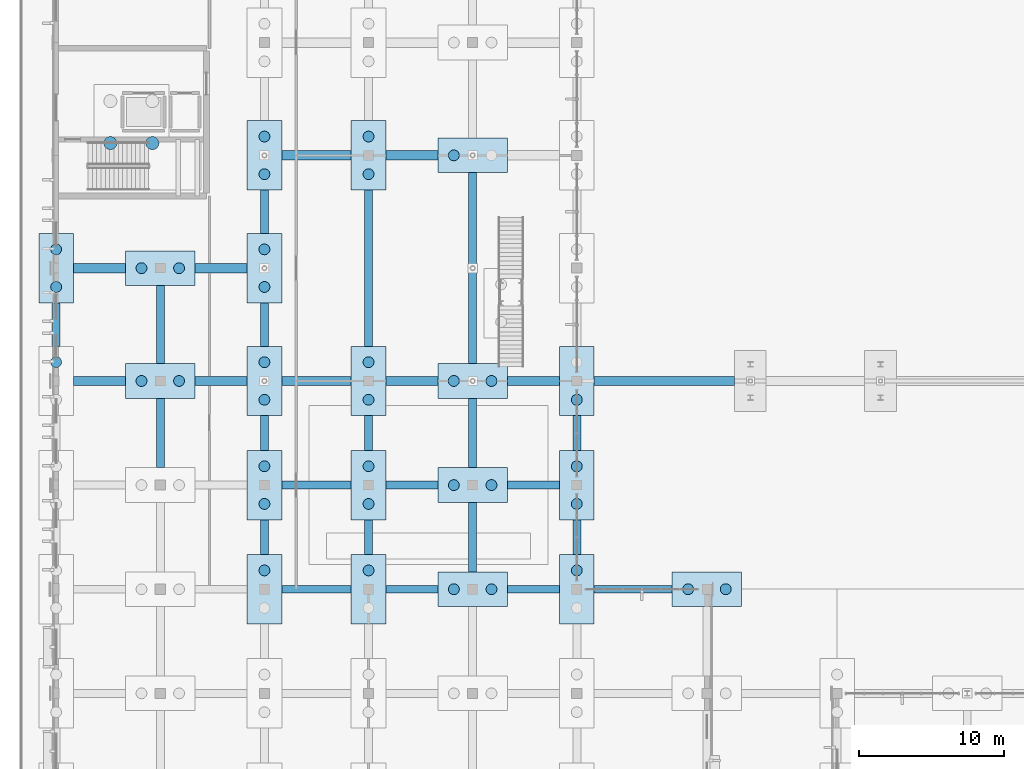
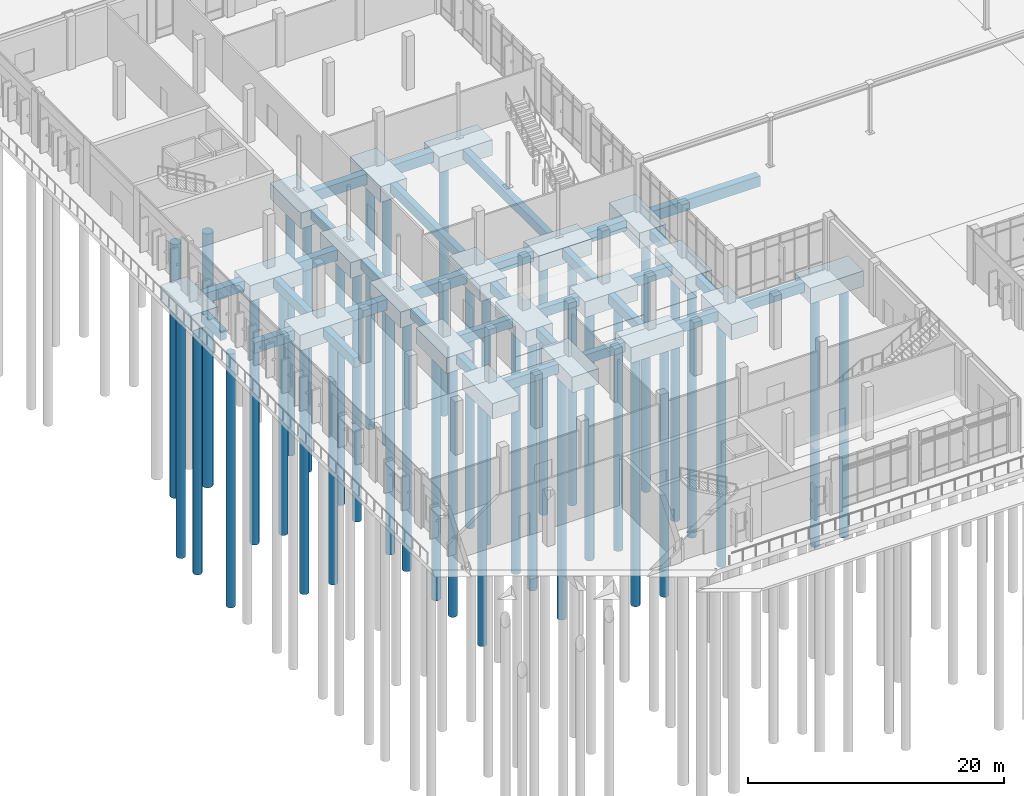
# One storey, part 2 of 94: 52 footings, 38 piles.
"""IFC4 building model written with IfcOpenShell, lengths in metres."""

import ifcopenshell
import ifcopenshell.guid

model = None  # the IFC model being written
_history = None  # IfcOwnerHistory: only IFC2X3 demands one
_inside = {}  # id of a spatial element -> (the spatial element, [elements in it])
_under = {}  # id of a project, library or spatial element -> (it, [spatial elements below it])
_declared = {}  # id of a project -> (the project, [libraries it declares])
_typed = {}  # id of a type object -> (the type object, [elements of that type])
_made_of = {}  # id of a material, layer set ... -> (it, [elements and type objects made of it])


def new_model(schema):
    """Start an empty IFC model of exactly this schema.

    Asked for "IFC4X3", IfcOpenShell would pick the latest addendum, in which some entities
    have other attributes; the version numbers below select the first issue.
    IFC2X3 requires an IfcOwnerHistory on every rooted entity: one is made here for all.
    """
    global model, _history
    if schema == "IFC4X3":
        model = ifcopenshell.file(schema_version=(4, 3, 0, 0))
    else:
        model = ifcopenshell.file(schema=schema)
    _inside.clear()
    _under.clear()
    _declared.clear()
    _typed.clear()
    _made_of.clear()
    _history = None
    if model.schema == "IFC2X3":
        org = make("IfcOrganization", Name="unknown")
        user = make(
            "IfcPersonAndOrganization",
            ThePerson=make("IfcPerson", FamilyName="unknown"),
            TheOrganization=org,
        )
        app = make(
            "IfcApplication",
            ApplicationDeveloper=org,
            Version="unknown",
            ApplicationFullName="unknown",
            ApplicationIdentifier="unknown",
        )
        _history = make(
            "IfcOwnerHistory",
            OwningUser=user,
            OwningApplication=app,
            ChangeAction="ADDED",
            CreationDate=0,
        )
    return model


def make(cls, **values):
    """One entity of the class cls with the attributes given. An attribute that is None is left unset."""
    return model.create_entity(
        cls, **{name: value for name, value in values.items() if value is not None}
    )


def rooted(cls, **values):
    """An entity with a GlobalId (a new one), such as an element, a storey or a relation."""
    return make(cls, GlobalId=ifcopenshell.guid.new(), OwnerHistory=_history, **values)


def si_unit(unit_type, name, prefix=None):
    """IfcSIUnit, for example si_unit("LENGTHUNIT", "METRE", prefix="MILLI")."""
    return make("IfcSIUnit", UnitType=unit_type, Prefix=prefix, Name=name)


def assignment(units):
    """IfcUnitAssignment: the units of a project."""
    return None if units is None else make("IfcUnitAssignment", Units=units)


def point(xyz):
    """IfcCartesianPoint."""
    return None if xyz is None else make("IfcCartesianPoint", Coordinates=xyz)


def direction(xyz):
    """IfcDirection."""
    return None if xyz is None else make("IfcDirection", DirectionRatios=xyz)


def frame(location, z_axis=None, x_axis=None):
    """IfcAxis2Placement3D, a coordinate frame: its origin and axes. An axis left out is left unset."""
    return make(
        "IfcAxis2Placement3D",
        Location=point(location),
        Axis=direction(z_axis),
        RefDirection=direction(x_axis),
    )


def frame_2d(location, x_axis=None):
    """IfcAxis2Placement2D, a coordinate frame in the plane: its origin and x axis."""
    return make(
        "IfcAxis2Placement2D", Location=point(location), RefDirection=direction(x_axis)
    )


def origin():
    """The frame at (0, 0, 0) with its axes left unset."""
    return frame((0.0, 0.0, 0.0))


def origin_2d():
    """The frame at (0, 0) in the plane with its x axis left unset."""
    return frame_2d((0.0, 0.0))


def place(relative_to, where):
    """IfcLocalPlacement: puts the frame where relative to a parent placement (None: the world)."""
    return make(
        "IfcLocalPlacement", PlacementRelTo=relative_to, RelativePlacement=where
    )


def context(
    kind, dimensions, precision=None, world=None, true_north=None, identifier=None
):
    """IfcGeometricRepresentationContext, for example the 3D "Model" context."""
    return make(
        "IfcGeometricRepresentationContext",
        ContextIdentifier=identifier,
        ContextType=kind,
        CoordinateSpaceDimension=dimensions,
        Precision=precision,
        WorldCoordinateSystem=world,
        TrueNorth=true_north,
    )


def subcontext(parent, identifier, kind, view, scale=None):
    """IfcGeometricRepresentationSubContext, for example "Body" below "Model"."""
    return make(
        "IfcGeometricRepresentationSubContext",
        ContextIdentifier=identifier,
        ContextType=kind,
        ParentContext=parent,
        TargetScale=scale,
        TargetView=view,
    )


def project(units=None, contexts=None):
    """IfcProject with its units and contexts."""
    return rooted(
        "IfcProject",
        Name="project",
        RepresentationContexts=contexts,
        UnitsInContext=assignment(units),
    )


def spatial(cls, under=None, at=None, **own):
    """A site, building, storey or space (cls), placed at a placement, below another one or the project."""
    s = rooted(cls, ObjectPlacement=at, **own)
    if under is not None:
        _under.setdefault(under.id(), (under, []))[1].append(s)
    return s


def profile(cls, at=None, kind="AREA", **sizes):
    """A parametric profile (cls). Its sizes go by their IFC names, for example OverallWidth=200.0."""
    return make(cls, ProfileType=kind, Position=at, **sizes)


def rectangle(**sizes):
    """IfcRectangleProfileDef."""
    return profile("IfcRectangleProfileDef", **sizes)


def circle(**sizes):
    """IfcCircleProfileDef."""
    return profile("IfcCircleProfileDef", **sizes)


def extrude(swept, where, along, depth):
    """IfcExtrudedAreaSolid: the profile swept, set in the frame where, extruded along a direction by depth."""
    return make(
        "IfcExtrudedAreaSolid",
        SweptArea=swept,
        Position=where,
        ExtrudedDirection=direction(along),
        Depth=depth,
    )


def shape(context_of_items, identifier, shape_type, items):
    """IfcShapeRepresentation: the items that make up one representation, for example the "Body"."""
    return make(
        "IfcShapeRepresentation",
        ContextOfItems=context_of_items,
        RepresentationIdentifier=identifier,
        RepresentationType=shape_type,
        Items=items,
    )


def material(Name=None, Category=None):
    """IfcMaterial."""
    return make("IfcMaterial", Name=Name, Category=Category)


def material_profile(
    of_material, cross_section, Name=None, Category=None, Priority=None
):
    """IfcMaterialProfile: a cross section and its material."""
    return make(
        "IfcMaterialProfile",
        Name=Name,
        Material=of_material,
        Profile=cross_section,
        Priority=Priority,
        Category=Category,
    )


def profile_set(profiles, Name=None, composite=None):
    """IfcMaterialProfileSet."""
    return make(
        "IfcMaterialProfileSet",
        Name=Name,
        MaterialProfiles=profiles,
        CompositeProfile=composite,
    )


def made_of(thing, what):
    """Note that an element or type object is made of a material, layer set ...; save() writes the relation."""
    if what is not None:
        _made_of.setdefault(what.id(), (what, []))[1].append(thing)
    return thing


def type_object(cls, material=None, **own):
    """A type object (cls), such as IfcWallType, which elements share."""
    return made_of(rooted(cls, **own), material)


def element(
    cls,
    number,
    at=None,
    inside=None,
    cuts=None,
    type_object=None,
    material=None,
    context=None,
    identifier="Body",
    shape_type=None,
    held_by="IfcProductDefinitionShape",
    body=None,
    shapes=None,
    **own,
):
    """One element of the class cls, such as IfcWall. Its Tag is "e" and its number.

    at: its placement. inside: the storey or other place that contains it. cuts: it is an
    opening in that element (IfcRelVoidsElement). A single representation is given by context,
    identifier, shape_type and body (its items); several are given by shapes. held_by: the class
    of the entity that holds the representations. save() writes the other relations.
    """
    e = rooted(cls, Tag="e%d" % number, ObjectPlacement=at, **own)
    if body is not None:
        shapes = [shape(context, identifier, shape_type, body)]
    if shapes is not None:
        e.Representation = make(held_by, Representations=shapes)
    if inside is not None:
        _inside.setdefault(inside.id(), (inside, []))[1].append(e)
    if cuts is not None:
        rooted(
            "IfcRelVoidsElement", RelatingBuildingElement=cuts, RelatedOpeningElement=e
        )
    if type_object is not None:
        _typed.setdefault(type_object.id(), (type_object, []))[1].append(e)
    return made_of(e, material)


def aggregate(whole, parts):
    """IfcRelAggregates: a whole, such as a stair, and the parts it consists of."""
    return rooted("IfcRelAggregates", RelatingObject=whole, RelatedObjects=parts)


def save(model, path):
    """Write the relations noted so far, then the file.

    IfcRelAggregates (storeys below a building ...), IfcRelContainedInSpatialStructure (elements
    in a storey), IfcRelDefinesByType, IfcRelAssociatesMaterial and IfcRelDeclares: one each for
    every whole, place, type object, material and project.
    """
    for whole, parts in _under.values():
        aggregate(whole, parts)
    for where, things in _inside.values():
        rooted(
            "IfcRelContainedInSpatialStructure",
            RelatedElements=things,
            RelatingStructure=where,
        )
    for kind, things in _typed.values():
        rooted("IfcRelDefinesByType", RelatedObjects=things, RelatingType=kind)
    for what, things in _made_of.values():
        rooted("IfcRelAssociatesMaterial", RelatedObjects=things, RelatingMaterial=what)
    for by, libraries in _declared.values():
        rooted("IfcRelDeclares", RelatingContext=by, RelatedDefinitions=libraries)
    model.write(path)


model = new_model("IFC4")

# Units and contexts
model_context = context("Model", 3, precision=1e-05, world=origin(), true_north=direction((0.0, 1.0)))
body_context = subcontext(model_context, "Body", "Model", "MODEL_VIEW")
ifc_project = project(units=[si_unit("LENGTHUNIT", "METRE"), si_unit("AREAUNIT", "SQUARE_METRE"), si_unit("VOLUMEUNIT", "CUBIC_METRE"), si_unit("PLANEANGLEUNIT", "RADIAN"), si_unit("MASSUNIT", "GRAM", prefix="KILO")], contexts=[model_context])

# Site, building, storey
site_placement = place(None, origin())
site = spatial("IfcSite", under=ifc_project, at=site_placement, CompositionType="ELEMENT")
building_placement = place(site_placement, origin())
building = spatial("IfcBuilding", under=site, at=building_placement, Name="Vervanel Yard Central Library", CompositionType="ELEMENT")
storey_placement = place(building_placement, origin())
storey = spatial("IfcBuildingStorey", under=building, at=storey_placement, Name="L00", CompositionType="ELEMENT", Elevation=0.0)

# Piles
ifc_material = material(Name="Concrete C40/50", Category="concrete")
ifc_material_profile_1 = material_profile(ifc_material, circle(Radius=0.375, at=origin_2d()), Name="BP D750", Category="concrete")
ifc_profile_set_1 = profile_set([ifc_material_profile_1], Name="Concrete C40/50")
pile_type_1 = type_object("IfcPileType", Name="Bored Concrete Pile D750", PredefinedType="BORED", material=ifc_profile_set_1)
for number, where, z_axis, x_axis, name in (
    (1, (0.0, 44.5, -1.75), (0.0, 0.0, -1.0), (1.0, 0.0, 0.0), "Bored Concrete Pile 416 under PCAP-105"),
    (2, (0.0, 49.699951171875, -1.75), (0.0, 0.0, -1.0), (1.0, 0.0, 0.0), "Bored Concrete Pile 417 under PCAP-106"),
    (3, (0.0, 52.300048828125, -1.75), (0.0, 0.0, -1.0), (1.0, 0.0, 0.0), "Bored Concrete Pile 418 under PCAP-106"),
    (4, (14.39990234375, 30.10009765625, -1.75), (0.0, 0.0, -1.0), (1.0, 0.0, 0.0), "Bored Concrete Pile 428 under PCAP-111"),
    (5, (14.39990234375, 34.699951171875, -1.75), (0.0, 0.0, -1.0), (1.0, 0.0, 0.0), "Bored Concrete Pile 429 under PCAP-112"),
    (6, (14.39990234375, 37.300048828125, -1.75), (0.0, 0.0, -1.0), (1.0, 0.0, 0.0), "Bored Concrete Pile 430 under PCAP-112"),
    (7, (14.39990234375, 41.89990234375, -1.75), (0.0, 0.0, -1.0), (1.0, 0.0, 0.0), "Bored Concrete Pile 431 under PCAP-113"),
    (8, (14.39990234375, 44.5, -1.75), (0.0, 0.0, -1.0), (1.0, 0.0, 0.0), "Bored Concrete Pile 432 under PCAP-113"),
    (9, (14.39990234375, 49.699951171875, -1.75), (0.0, 0.0, -1.0), (1.0, 0.0, 0.0), "Bored Concrete Pile 433 under PCAP-114"),
    (10, (14.39990234375, 52.300048828125, -1.75), (0.0, 0.0, -1.0), (1.0, 0.0, 0.0), "Bored Concrete Pile 434 under PCAP-114"),
    (11, (14.39990234375, 57.5, -1.75), (0.0, 0.0, -1.0), (1.0, 0.0, 0.0), "Bored Concrete Pile 435 under PCAP-115"),
    (12, (14.39990234375, 60.10009765625, -1.75), (0.0, 0.0, -1.0), (1.0, 0.0, 0.0), "Bored Concrete Pile 436 under PCAP-115"),
    (13, (21.60009765625, 30.10009765625, -1.75), (0.0, 0.0, -1.0), (1.0, 0.0, 0.0), "Bored Concrete Pile 448 under PCAP-121"),
    (14, (21.60009765625, 34.699951171875, -1.75), (0.0, 0.0, -1.0), (1.0, 0.0, 0.0), "Bored Concrete Pile 449 under PCAP-122"),
    (15, (21.60009765625, 37.300048828125, -1.75), (0.0, 0.0, -1.0), (1.0, 0.0, 0.0), "Bored Concrete Pile 450 under PCAP-122"),
    (16, (21.60009765625, 41.89990234375, -1.75), (0.0, 0.0, -1.0), (1.0, 0.0, 0.0), "Bored Concrete Pile 451 under PCAP-123"),
    (17, (21.60009765625, 44.5, -1.75), (0.0, 0.0, -1.0), (1.0, 0.0, 0.0), "Bored Concrete Pile 452 under PCAP-123"),
    (18, (21.60009765625, 57.5, -1.75), (0.0, 0.0, -1.0), (1.0, 0.0, 0.0), "Bored Concrete Pile 453 under PCAP-124"),
    (19, (21.60009765625, 60.10009765625, -1.75), (0.0, 0.0, -1.0), (1.0, 0.0, 0.0), "Bored Concrete Pile 454 under PCAP-124"),
    (20, (36.0, 30.10009765625, -1.75), (0.0, 0.0, -1.0), (1.0, 0.0, 0.0), "Bored Concrete Pile 470 under PCAP-132"),
    (21, (36.0, 34.699951171875, -1.75), (0.0, 0.0, -1.0), (1.0, 0.0, 0.0), "Bored Concrete Pile 471 under PCAP-133"),
    (22, (36.0, 37.300048828125, -1.75), (0.0, 0.0, -1.0), (1.0, 0.0, 0.0), "Bored Concrete Pile 472 under PCAP-133"),
    (23, (36.0, 41.89990234375, -1.75), (0.0, 0.0, -1.0), (1.0, 0.0, 0.0), "Bored Concrete Pile 473 under PCAP-134"),
    (24, (5.89990234375, 43.199951171875, -1.75), (0.0, 0.0, -1.0), (1.0, 0.0, 0.0), "Bored Concrete Pile 545 under PCAP-170"),
    (25, (8.5, 43.199951171875, -1.75), (0.0, 0.0, -1.0), (1.0, 0.0, 0.0), "Bored Concrete Pile 546 under PCAP-170"),
    (26, (5.89990234375, 51.0, -1.75), (0.0, 0.0, -1.0), (1.0, 0.0, 0.0), "Bored Concrete Pile 547 under PCAP-171"),
    (27, (8.5, 51.0, -1.75), (0.0, 0.0, -1.0), (1.0, 0.0, 0.0), "Bored Concrete Pile 548 under PCAP-171"),
    (28, (27.5, 28.800048828125, -1.75), (0.0, 0.0, -1.0), (1.0, 0.0, 0.0), "Bored Concrete Pile 561 under PCAP-178"),
    (29, (30.10009765625, 28.800048828125, -1.75), (0.0, 0.0, -1.0), (1.0, 0.0, 0.0), "Bored Concrete Pile 562 under PCAP-178"),
    (30, (27.5, 36.0, -1.75), (0.0, 0.0, -1.0), (1.0, 0.0, 0.0), "Bored Concrete Pile 563 under PCAP-179"),
    (31, (30.10009765625, 36.0, -1.75), (0.0, 0.0, -1.0), (1.0, 0.0, 0.0), "Bored Concrete Pile 564 under PCAP-179"),
    (32, (27.5, 43.199951171875, -1.75), (0.0, 0.0, -1.0), (1.0, 0.0, 0.0), "Bored Concrete Pile 565 under PCAP-180"),
    (33, (30.10009765625, 43.199951171875, -1.75), (0.0, 0.0, -1.0), (1.0, 0.0, 0.0), "Bored Concrete Pile 566 under PCAP-180"),
    (34, (27.5, 58.800048828125, -1.75), (0.0, 0.0, -1.0), (1.0, 0.0, 0.0), "Bored Concrete Pile 567 under PCAP-181"),
    (35, (43.699951171875, 28.800048828125, -1.75), (0.0, 0.0, -1.0), (1.0, 0.0, 0.0), "Bored Concrete Pile 583 under PCAP-189"),
    (36, (46.300048828125, 28.800048828125, -1.75), (0.0, 0.0, -1.0), (1.0, 0.0, 0.0), "Bored Concrete Pile 584 under PCAP-189"),
):
    element("IfcPile", number, at=place(storey_placement, frame(where, z_axis=z_axis, x_axis=x_axis)), inside=storey, type_object=pile_type_1, Name=name, PredefinedType="BORED", context=body_context, shape_type="SweptSolid", body=[
        extrude(circle(Radius=0.375, at=origin_2d()), origin(), (0.0, 0.0, 1.0), 24.25),
    ])
ifc_material_profile_2 = material_profile(ifc_material, circle(Radius=0.449951171875, at=origin_2d()), Name="BP D900", Category="concrete")
ifc_profile_set_2 = profile_set([ifc_material_profile_2], Name="Concrete C40/50")
pile_type_2 = type_object("IfcPileType", Name="Bored Concrete Pile D900", PredefinedType="BORED", material=ifc_profile_set_2)
for number, where, z_axis, x_axis, name in (
    (37, (3.75, 59.64990234375, -1.75), (0.0, 0.0, -1.0), (1.0, 0.0, 0.0), "Bored Concrete Pile 25 under PCAP-005"),
    (38, (6.64990234375, 59.64990234375, -1.75), (0.0, 0.0, -1.0), (1.0, 0.0, 0.0), "Bored Concrete Pile 26 under PCAP-005"),
):
    element("IfcPile", number, at=place(storey_placement, frame(where, z_axis=z_axis, x_axis=x_axis)), inside=storey, type_object=pile_type_2, Name=name, PredefinedType="BORED", context=body_context, shape_type="SweptSolid", body=[
        extrude(circle(Radius=0.449951171875, at=origin_2d()), origin(), (0.0, 0.0, 1.0), 24.25),
    ])

# Footings
footing_type_1 = type_object("IfcFootingType", Name="Combined 2-Pile Cap 2400x4800x1500", PredefinedType="PILE_CAP", material=ifc_material)
for number, where, z_axis, x_axis, name in (
    (39, (0.0, 51.0, -1.89990234375), (0.0, 0.0, 1.0), (1.0, 0.0, 0.0), "Combined Pile Cap PCAP-106 (PC-01)"),
    (40, (14.39990234375, 28.800048828125, -1.89990234375), (0.0, 0.0, 1.0), (1.0, 0.0, 0.0), "Combined Pile Cap PCAP-111 (PC-01)"),
    (41, (14.39990234375, 36.0, -1.89990234375), (0.0, 0.0, 1.0), (1.0, 0.0, 0.0), "Combined Pile Cap PCAP-112 (PC-01)"),
    (42, (14.39990234375, 43.199951171875, -1.89990234375), (0.0, 0.0, 1.0), (1.0, 0.0, 0.0), "Combined Pile Cap PCAP-113 (PC-01)"),
    (43, (14.39990234375, 51.0, -1.89990234375), (0.0, 0.0, 1.0), (1.0, 0.0, 0.0), "Combined Pile Cap PCAP-114 (PC-01)"),
    (44, (14.39990234375, 58.800048828125, -1.89990234375), (0.0, 0.0, 1.0), (1.0, 0.0, 0.0), "Combined Pile Cap PCAP-115 (PC-01)"),
    (45, (21.60009765625, 28.800048828125, -1.89990234375), (0.0, 0.0, 1.0), (1.0, 0.0, 0.0), "Combined Pile Cap PCAP-121 (PC-01)"),
    (46, (21.60009765625, 36.0, -1.89990234375), (0.0, 0.0, 1.0), (1.0, 0.0, 0.0), "Combined Pile Cap PCAP-122 (PC-01)"),
    (47, (21.60009765625, 43.199951171875, -1.89990234375), (0.0, 0.0, 1.0), (1.0, 0.0, 0.0), "Combined Pile Cap PCAP-123 (PC-01)"),
    (48, (21.60009765625, 58.800048828125, -1.89990234375), (0.0, 0.0, 1.0), (1.0, 0.0, 0.0), "Combined Pile Cap PCAP-124 (PC-01)"),
    (49, (36.0, 28.800048828125, -1.89990234375), (0.0, 0.0, 1.0), (1.0, 0.0, 0.0), "Combined Pile Cap PCAP-132 (PC-01)"),
    (50, (36.0, 36.0, -1.89990234375), (0.0, 0.0, 1.0), (1.0, 0.0, 0.0), "Combined Pile Cap PCAP-133 (PC-01)"),
    (51, (36.0, 43.199951171875, -1.89990234375), (0.0, 0.0, 1.0), (1.0, 0.0, 0.0), "Combined Pile Cap PCAP-134 (PC-01)"),
):
    element("IfcFooting", number, at=place(storey_placement, frame(where, z_axis=z_axis, x_axis=x_axis)), inside=storey, type_object=footing_type_1, Name=name, PredefinedType="PILE_CAP", context=body_context, shape_type="SweptSolid", body=[
        extrude(rectangle(XDim=2.39990234375, YDim=4.800048828125, at=origin_2d()), origin(), (0.0, 0.0, 1.0), 1.5),
    ])
footing_type_2 = type_object("IfcFootingType", Name="Combined 2-Pile Cap 4800x2400x1500", PredefinedType="PILE_CAP", material=ifc_material)
for number, where, z_axis, x_axis, name in (
    (52, (7.199951171875, 43.199951171875, -1.89990234375), (0.0, 0.0, 1.0), (1.0, 0.0, 0.0), "Combined Pile Cap PCAP-170 (PC-02)"),
    (53, (7.199951171875, 51.0, -1.89990234375), (0.0, 0.0, 1.0), (1.0, 0.0, 0.0), "Combined Pile Cap PCAP-171 (PC-02)"),
    (54, (28.800048828125, 28.800048828125, -1.89990234375), (0.0, 0.0, 1.0), (1.0, 0.0, 0.0), "Combined Pile Cap PCAP-178 (PC-02)"),
    (55, (28.800048828125, 36.0, -1.89990234375), (0.0, 0.0, 1.0), (1.0, 0.0, 0.0), "Combined Pile Cap PCAP-179 (PC-02)"),
    (56, (28.800048828125, 43.199951171875, -1.89990234375), (0.0, 0.0, 1.0), (1.0, 0.0, 0.0), "Combined Pile Cap PCAP-180 (PC-02)"),
    (57, (28.800048828125, 58.800048828125, -1.89990234375), (0.0, 0.0, 1.0), (1.0, 0.0, 0.0), "Combined Pile Cap PCAP-181 (PC-02)"),
    (58, (45.0, 28.800048828125, -1.89990234375), (0.0, 0.0, 1.0), (1.0, 0.0, 0.0), "Combined Pile Cap PCAP-189 (PC-02)"),
):
    element("IfcFooting", number, at=place(storey_placement, frame(where, z_axis=z_axis, x_axis=x_axis)), inside=storey, type_object=footing_type_2, Name=name, PredefinedType="PILE_CAP", context=body_context, shape_type="SweptSolid", body=[
        extrude(rectangle(XDim=4.800048828125, YDim=2.39990234375, at=origin_2d()), origin(), (0.0, 0.0, 1.0), 1.5),
    ])
ifc_material_profile_3 = material_profile(ifc_material, rectangle(XDim=0.550048828125, YDim=0.89990234375, at=origin_2d()), Name="RC 550x900", Category="concrete")
ifc_profile_set_3 = profile_set([ifc_material_profile_3], Name="Concrete C40/50")
footing_type_3 = type_object("IfcFootingType", Name="Concrete Footing Beam 550x900", PredefinedType="FOOTING_BEAM", material=ifc_profile_set_3)
footing_1_placement = place(storey_placement, frame((15.60009765625, 28.800048828125, -0.8701171875), z_axis=(1.0, 0.0, 0.0), x_axis=(0.0, 1.0, 0.0)))
element("IfcFooting", 59, at=footing_1_placement, inside=storey, type_object=footing_type_3, Name="Concrete Footing Beam FB-X-029", PredefinedType="FOOTING_BEAM", context=body_context, shape_type="SweptSolid", body=[
    extrude(rectangle(XDim=0.550048828125, YDim=0.89990234375, at=origin_2d()), origin(), (0.0, 0.0, 1.0), 4.7998046875),
])
footing_2_placement = place(storey_placement, frame((22.800048828125, 28.800048828125, -0.8701171875), z_axis=(1.0, 0.0, 0.0), x_axis=(0.0, 1.0, 0.0)))
element("IfcFooting", 60, at=footing_2_placement, inside=storey, type_object=footing_type_3, Name="Concrete Footing Beam FB-X-030", PredefinedType="FOOTING_BEAM", context=body_context, shape_type="SweptSolid", body=[
    extrude(rectangle(XDim=0.550048828125, YDim=0.89990234375, at=origin_2d()), origin(), (0.0, 0.0, 1.0), 3.599853515625),
])
footing_3_placement = place(storey_placement, frame((31.199951171875, 28.800048828125, -0.8701171875), z_axis=(1.0, 0.0, 0.0), x_axis=(0.0, 1.0, 0.0)))
element("IfcFooting", 61, at=footing_3_placement, inside=storey, type_object=footing_type_3, Name="Concrete Footing Beam FB-X-031", PredefinedType="FOOTING_BEAM", context=body_context, shape_type="SweptSolid", body=[
    extrude(rectangle(XDim=0.550048828125, YDim=0.89990234375, at=origin_2d()), origin(), (0.0, 0.0, 1.0), 3.60009765625),
])
footing_4_placement = place(storey_placement, frame((37.199951171875, 28.800048828125, -0.8701171875), z_axis=(1.0, 0.0, 0.0), x_axis=(0.0, 1.0, 0.0)))
element("IfcFooting", 62, at=footing_4_placement, inside=storey, type_object=footing_type_3, Name="Concrete Footing Beam FB-X-032", PredefinedType="FOOTING_BEAM", context=body_context, shape_type="SweptSolid", body=[
    extrude(rectangle(XDim=0.550048828125, YDim=0.89990234375, at=origin_2d()), origin(), (0.0, 0.0, 1.0), 5.400146484375),
])
footing_5_placement = place(storey_placement, frame((15.60009765625, 36.0, -0.8701171875), z_axis=(1.0, 0.0, 0.0), x_axis=(0.0, 1.0, 0.0)))
element("IfcFooting", 63, at=footing_5_placement, inside=storey, type_object=footing_type_3, Name="Concrete Footing Beam FB-X-036", PredefinedType="FOOTING_BEAM", context=body_context, shape_type="SweptSolid", body=[
    extrude(rectangle(XDim=0.550048828125, YDim=0.89990234375, at=origin_2d()), origin(), (0.0, 0.0, 1.0), 4.7998046875),
])
footing_6_placement = place(storey_placement, frame((22.800048828125, 36.0, -0.8701171875), z_axis=(1.0, 0.0, 0.0), x_axis=(0.0, 1.0, 0.0)))
element("IfcFooting", 64, at=footing_6_placement, inside=storey, type_object=footing_type_3, Name="Concrete Footing Beam FB-X-037", PredefinedType="FOOTING_BEAM", context=body_context, shape_type="SweptSolid", body=[
    extrude(rectangle(XDim=0.550048828125, YDim=0.89990234375, at=origin_2d()), origin(), (0.0, 0.0, 1.0), 3.599853515625),
])
footing_7_placement = place(storey_placement, frame((31.199951171875, 36.0, -0.8701171875), z_axis=(1.0, 0.0, 0.0), x_axis=(0.0, 1.0, 0.0)))
element("IfcFooting", 65, at=footing_7_placement, inside=storey, type_object=footing_type_3, Name="Concrete Footing Beam FB-X-038", PredefinedType="FOOTING_BEAM", context=body_context, shape_type="SweptSolid", body=[
    extrude(rectangle(XDim=0.550048828125, YDim=0.89990234375, at=origin_2d()), origin(), (0.0, 0.0, 1.0), 3.60009765625),
])
footing_8_placement = place(storey_placement, frame((0.0, 45.60009765625, -0.8701171875), z_axis=(0.0, 1.0, 0.0), x_axis=(-1.0, 0.0, 0.0)))
element("IfcFooting", 66, at=footing_8_placement, inside=storey, type_object=footing_type_3, Name="Concrete Footing Beam FB-Y-148", PredefinedType="FOOTING_BEAM", context=body_context, shape_type="SweptSolid", body=[
    extrude(rectangle(XDim=0.550048828125, YDim=0.89990234375, at=origin_2d()), origin(), (0.0, 0.0, 1.0), 3.0),
])
footing_9_placement = place(storey_placement, frame((7.199951171875, 37.199951171875, -0.8701171875), z_axis=(0.0, 1.0, 0.0), x_axis=(-1.0, 0.0, 0.0)))
element("IfcFooting", 67, at=footing_9_placement, inside=storey, type_object=footing_type_3, Name="Concrete Footing Beam FB-Y-155", PredefinedType="FOOTING_BEAM", context=body_context, shape_type="SweptSolid", body=[
    extrude(rectangle(XDim=0.550048828125, YDim=0.89990234375, at=origin_2d()), origin(), (0.0, 0.0, 1.0), 4.800048828125),
])
footing_10_placement = place(storey_placement, frame((7.199951171875, 44.39990234375, -0.8701171875), z_axis=(0.0, 1.0, 0.0), x_axis=(-1.0, 0.0, 0.0)))
element("IfcFooting", 68, at=footing_10_placement, inside=storey, type_object=footing_type_3, Name="Concrete Footing Beam FB-Y-156", PredefinedType="FOOTING_BEAM", context=body_context, shape_type="SweptSolid", body=[
    extrude(rectangle(XDim=0.550048828125, YDim=0.89990234375, at=origin_2d()), origin(), (0.0, 0.0, 1.0), 5.400146484375),
])
for number, where, z_axis, x_axis, name in (
    (69, (14.39990234375, 31.199951171875, -0.8701171875), (0.0, 1.0, 0.0), (-1.0, 0.0, 0.0), "Concrete Footing Beam FB-Y-160"),
    (70, (14.39990234375, 38.39990234375, -0.8701171875), (0.0, 1.0, 0.0), (-1.0, 0.0, 0.0), "Concrete Footing Beam FB-Y-161"),
):
    element("IfcFooting", number, at=place(storey_placement, frame(where, z_axis=z_axis, x_axis=x_axis)), inside=storey, type_object=footing_type_3, Name=name, PredefinedType="FOOTING_BEAM", context=body_context, shape_type="SweptSolid", body=[
        extrude(rectangle(XDim=0.550048828125, YDim=0.89990234375, at=origin_2d()), origin(), (0.0, 0.0, 1.0), 2.400146484375),
    ])
for number, where, z_axis, x_axis, name in (
    (71, (14.39990234375, 45.60009765625, -0.8701171875), (0.0, 1.0, 0.0), (-1.0, 0.0, 0.0), "Concrete Footing Beam FB-Y-162"),
    (72, (14.39990234375, 53.39990234375, -0.8701171875), (0.0, 1.0, 0.0), (-1.0, 0.0, 0.0), "Concrete Footing Beam FB-Y-163"),
):
    element("IfcFooting", number, at=place(storey_placement, frame(where, z_axis=z_axis, x_axis=x_axis)), inside=storey, type_object=footing_type_3, Name=name, PredefinedType="FOOTING_BEAM", context=body_context, shape_type="SweptSolid", body=[
        extrude(rectangle(XDim=0.550048828125, YDim=0.89990234375, at=origin_2d()), origin(), (0.0, 0.0, 1.0), 3.0),
    ])
for number, where, z_axis, x_axis, name in (
    (73, (21.60009765625, 31.199951171875, -0.8701171875), (0.0, 1.0, 0.0), (-1.0, 0.0, 0.0), "Concrete Footing Beam FB-Y-169"),
    (74, (21.60009765625, 38.39990234375, -0.8701171875), (0.0, 1.0, 0.0), (-1.0, 0.0, 0.0), "Concrete Footing Beam FB-Y-170"),
):
    element("IfcFooting", number, at=place(storey_placement, frame(where, z_axis=z_axis, x_axis=x_axis)), inside=storey, type_object=footing_type_3, Name=name, PredefinedType="FOOTING_BEAM", context=body_context, shape_type="SweptSolid", body=[
        extrude(rectangle(XDim=0.550048828125, YDim=0.89990234375, at=origin_2d()), origin(), (0.0, 0.0, 1.0), 2.400146484375),
    ])
footing_11_placement = place(storey_placement, frame((21.60009765625, 45.60009765625, -0.8701171875), z_axis=(0.0, 1.0, 0.0), x_axis=(-1.0, 0.0, 0.0)))
element("IfcFooting", 75, at=footing_11_placement, inside=storey, type_object=footing_type_3, Name="Concrete Footing Beam FB-Y-171", PredefinedType="FOOTING_BEAM", context=body_context, shape_type="SweptSolid", body=[
    extrude(rectangle(XDim=0.550048828125, YDim=0.89990234375, at=origin_2d()), origin(), (0.0, 0.0, 1.0), 10.7998046875),
])
for number, where, z_axis, x_axis, name in (
    (76, (28.800048828125, 30.0, -0.8701171875), (0.0, 1.0, 0.0), (-1.0, 0.0, 0.0), "Concrete Footing Beam FB-Y-179"),
    (77, (28.800048828125, 37.199951171875, -0.8701171875), (0.0, 1.0, 0.0), (-1.0, 0.0, 0.0), "Concrete Footing Beam FB-Y-180"),
):
    element("IfcFooting", number, at=place(storey_placement, frame(where, z_axis=z_axis, x_axis=x_axis)), inside=storey, type_object=footing_type_3, Name=name, PredefinedType="FOOTING_BEAM", context=body_context, shape_type="SweptSolid", body=[
        extrude(rectangle(XDim=0.550048828125, YDim=0.89990234375, at=origin_2d()), origin(), (0.0, 0.0, 1.0), 4.800048828125),
    ])
footing_12_placement = place(storey_placement, frame((28.800048828125, 44.39990234375, -0.8701171875), z_axis=(0.0, 1.0, 0.0), x_axis=(-1.0, 0.0, 0.0)))
element("IfcFooting", 78, at=footing_12_placement, inside=storey, type_object=footing_type_3, Name="Concrete Footing Beam FB-Y-181", PredefinedType="FOOTING_BEAM", context=body_context, shape_type="SweptSolid", body=[
    extrude(rectangle(XDim=0.550048828125, YDim=0.89990234375, at=origin_2d()), origin(), (0.0, 0.0, 1.0), 13.2001953125),
])
for number, where, z_axis, x_axis, name in (
    (79, (36.0, 31.199951171875, -0.8701171875), (0.0, 1.0, 0.0), (-1.0, 0.0, 0.0), "Concrete Footing Beam FB-Y-187"),
    (80, (36.0, 38.39990234375, -0.8701171875), (0.0, 1.0, 0.0), (-1.0, 0.0, 0.0), "Concrete Footing Beam FB-Y-188"),
):
    element("IfcFooting", number, at=place(storey_placement, frame(where, z_axis=z_axis, x_axis=x_axis)), inside=storey, type_object=footing_type_3, Name=name, PredefinedType="FOOTING_BEAM", context=body_context, shape_type="SweptSolid", body=[
        extrude(rectangle(XDim=0.550048828125, YDim=0.89990234375, at=origin_2d()), origin(), (0.0, 0.0, 1.0), 2.400146484375),
    ])
ifc_material_profile_4 = material_profile(ifc_material, rectangle(XDim=0.64990234375, YDim=1.0, at=origin_2d()), Name="RC 650x1000", Category="concrete")
ifc_profile_set_4 = profile_set([ifc_material_profile_4], Name="Concrete C40/50")
footing_type_4 = type_object("IfcFootingType", Name="Concrete Footing Beam 650x1000", PredefinedType="FOOTING_BEAM", material=ifc_profile_set_4)
footing_13_placement = place(storey_placement, frame((1.199951171875, 43.199951171875, -0.919921875), z_axis=(1.0, 0.0, 0.0), x_axis=(0.0, 1.0, 0.0)))
element("IfcFooting", 81, at=footing_13_placement, inside=storey, type_object=footing_type_4, Name="Concrete Footing Beam FB-X-041", PredefinedType="FOOTING_BEAM", context=body_context, shape_type="SweptSolid", body=[
    extrude(rectangle(XDim=0.64990234375, YDim=1.0, at=origin_2d()), origin(), (0.0, 0.0, 1.0), 3.60009765625),
])
footing_14_placement = place(storey_placement, frame((9.60009765625, 43.199951171875, -0.919921875), z_axis=(1.0, 0.0, 0.0), x_axis=(0.0, 1.0, 0.0)))
element("IfcFooting", 82, at=footing_14_placement, inside=storey, type_object=footing_type_4, Name="Concrete Footing Beam FB-X-042", PredefinedType="FOOTING_BEAM", context=body_context, shape_type="SweptSolid", body=[
    extrude(rectangle(XDim=0.64990234375, YDim=1.0, at=origin_2d()), origin(), (0.0, 0.0, 1.0), 3.599853515625),
])
footing_15_placement = place(storey_placement, frame((15.60009765625, 43.199951171875, -0.919921875), z_axis=(1.0, 0.0, 0.0), x_axis=(0.0, 1.0, 0.0)))
element("IfcFooting", 83, at=footing_15_placement, inside=storey, type_object=footing_type_4, Name="Concrete Footing Beam FB-X-043", PredefinedType="FOOTING_BEAM", context=body_context, shape_type="SweptSolid", body=[
    extrude(rectangle(XDim=0.64990234375, YDim=1.0, at=origin_2d()), origin(), (0.0, 0.0, 1.0), 4.7998046875),
])
footing_16_placement = place(storey_placement, frame((22.800048828125, 43.199951171875, -0.919921875), z_axis=(1.0, 0.0, 0.0), x_axis=(0.0, 1.0, 0.0)))
element("IfcFooting", 84, at=footing_16_placement, inside=storey, type_object=footing_type_4, Name="Concrete Footing Beam FB-X-044", PredefinedType="FOOTING_BEAM", context=body_context, shape_type="SweptSolid", body=[
    extrude(rectangle(XDim=0.64990234375, YDim=1.0, at=origin_2d()), origin(), (0.0, 0.0, 1.0), 3.599853515625),
])
footing_17_placement = place(storey_placement, frame((31.199951171875, 43.199951171875, -0.919921875), z_axis=(1.0, 0.0, 0.0), x_axis=(0.0, 1.0, 0.0)))
element("IfcFooting", 85, at=footing_17_placement, inside=storey, type_object=footing_type_4, Name="Concrete Footing Beam FB-X-045", PredefinedType="FOOTING_BEAM", context=body_context, shape_type="SweptSolid", body=[
    extrude(rectangle(XDim=0.64990234375, YDim=1.0, at=origin_2d()), origin(), (0.0, 0.0, 1.0), 3.60009765625),
])
footing_18_placement = place(storey_placement, frame((37.199951171875, 43.199951171875, -0.919921875), z_axis=(1.0, 0.0, 0.0), x_axis=(0.0, 1.0, 0.0)))
element("IfcFooting", 86, at=footing_18_placement, inside=storey, type_object=footing_type_4, Name="Concrete Footing Beam FB-X-046", PredefinedType="FOOTING_BEAM", context=body_context, shape_type="SweptSolid", body=[
    extrude(rectangle(XDim=0.64990234375, YDim=1.0, at=origin_2d()), origin(), (0.0, 0.0, 1.0), 9.699951171875),
])
footing_19_placement = place(storey_placement, frame((1.199951171875, 51.0, -0.919921875), z_axis=(1.0, 0.0, 0.0), x_axis=(0.0, 1.0, 0.0)))
element("IfcFooting", 87, at=footing_19_placement, inside=storey, type_object=footing_type_4, Name="Concrete Footing Beam FB-X-055", PredefinedType="FOOTING_BEAM", context=body_context, shape_type="SweptSolid", body=[
    extrude(rectangle(XDim=0.64990234375, YDim=1.0, at=origin_2d()), origin(), (0.0, 0.0, 1.0), 3.60009765625),
])
footing_20_placement = place(storey_placement, frame((9.60009765625, 51.0, -0.919921875), z_axis=(1.0, 0.0, 0.0), x_axis=(0.0, 1.0, 0.0)))
element("IfcFooting", 88, at=footing_20_placement, inside=storey, type_object=footing_type_4, Name="Concrete Footing Beam FB-X-056", PredefinedType="FOOTING_BEAM", context=body_context, shape_type="SweptSolid", body=[
    extrude(rectangle(XDim=0.64990234375, YDim=1.0, at=origin_2d()), origin(), (0.0, 0.0, 1.0), 3.599853515625),
])
footing_21_placement = place(storey_placement, frame((15.60009765625, 58.800048828125, -0.919921875), z_axis=(1.0, 0.0, 0.0), x_axis=(0.0, 1.0, 0.0)))
element("IfcFooting", 89, at=footing_21_placement, inside=storey, type_object=footing_type_4, Name="Concrete Footing Beam FB-X-059", PredefinedType="FOOTING_BEAM", context=body_context, shape_type="SweptSolid", body=[
    extrude(rectangle(XDim=0.64990234375, YDim=1.0, at=origin_2d()), origin(), (0.0, 0.0, 1.0), 4.7998046875),
])
footing_22_placement = place(storey_placement, frame((22.800048828125, 58.800048828125, -0.919921875), z_axis=(1.0, 0.0, 0.0), x_axis=(0.0, 1.0, 0.0)))
element("IfcFooting", 90, at=footing_22_placement, inside=storey, type_object=footing_type_4, Name="Concrete Footing Beam FB-X-060", PredefinedType="FOOTING_BEAM", context=body_context, shape_type="SweptSolid", body=[
    extrude(rectangle(XDim=0.64990234375, YDim=1.0, at=origin_2d()), origin(), (0.0, 0.0, 1.0), 3.599853515625),
])

save(model, "model.ifc")
